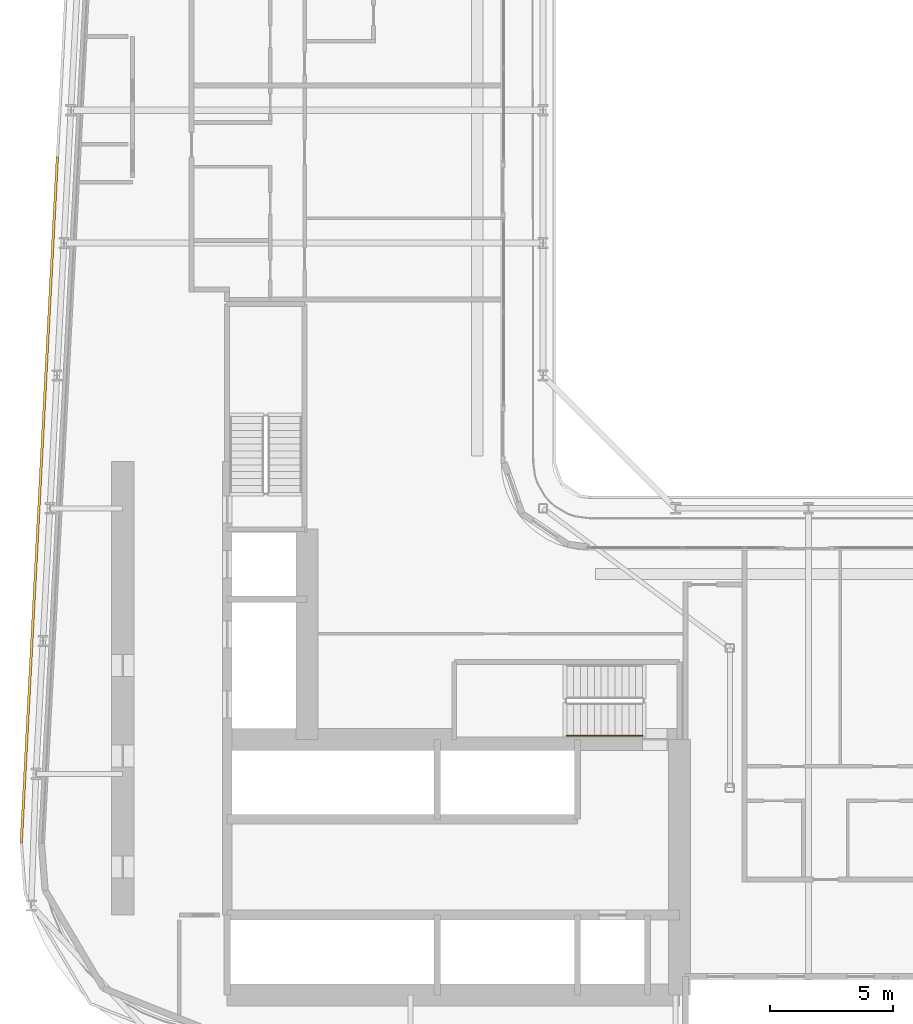
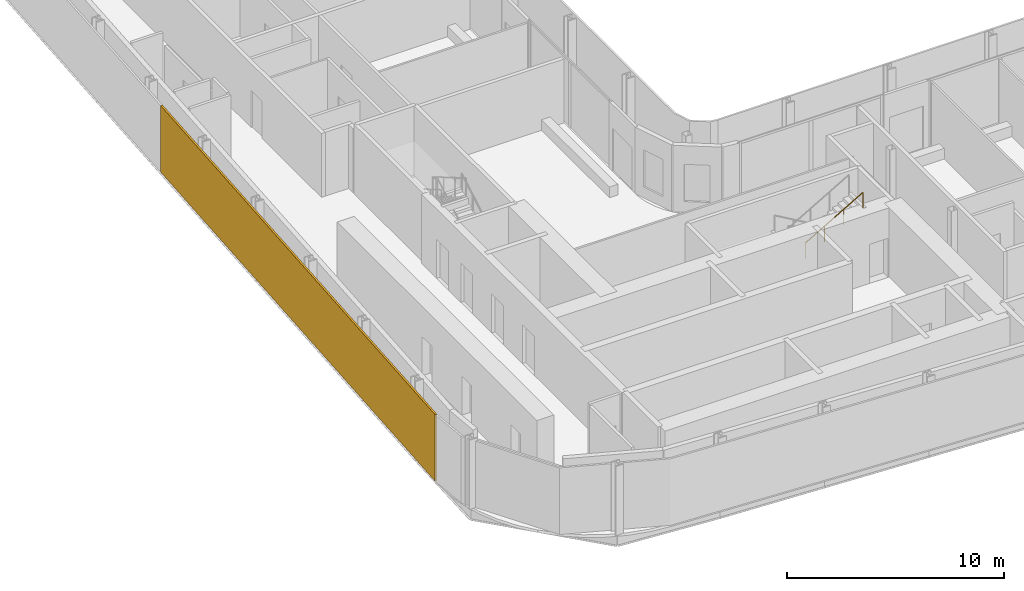
# One storey, part 21 of 27: 1 railing, 1 shading device.
"""IFC4 building model written with IfcOpenShell, lengths in metres."""

from ifc_helpers import new_model, si_unit, direction, frame, origin, origin_2d, place, context, subcontext, project, spatial, rectangle, circle, extrude, material, layer, layer_set, type_object, element, save


model = new_model("IFC4")

# Units and contexts
model_context = context("Model", 3, precision=1e-05, world=origin(), true_north=direction((0.0, 1.0)))
body_context = subcontext(model_context, "Body", "Model", "MODEL_VIEW")
ifc_project = project(units=[si_unit("LENGTHUNIT", "METRE"), si_unit("AREAUNIT", "SQUARE_METRE"), si_unit("VOLUMEUNIT", "CUBIC_METRE"), si_unit("PLANEANGLEUNIT", "RADIAN"), si_unit("MASSUNIT", "GRAM", prefix="KILO")], contexts=[model_context])

# Site, building, storey
site_placement = place(None, origin())
site = spatial("IfcSite", under=ifc_project, at=site_placement, CompositionType="ELEMENT")
building_placement = place(site_placement, origin())
building = spatial("IfcBuilding", under=site, at=building_placement, Name="Kheshtan School and Residences Tower", CompositionType="ELEMENT")
storey_placement = place(building_placement, frame((0.0, 0.0, 98.0)))
storey = spatial("IfcBuildingStorey", under=building, at=storey_placement, Name="L22", CompositionType="ELEMENT", Elevation=98.0)

# Shading device
ifc_material_1 = material(Name="Terracotta baguette, extruded ceramic", Category="masonry")
ifc_layer = layer(ifc_material_1, 0.10009765625)
ifc_layer_set = layer_set([ifc_layer], Name="Ledge screen, terracotta baguettes")
shading_device_type = type_object("IfcShadingDeviceType", Name="Ledge screen, terracotta baguettes", PredefinedType="USERDEFINED", material=ifc_layer_set)
shading_device_placement = place(storey_placement, frame((27.10400390625, 45.93896484375, 0.0), z_axis=(0.0, 0.0, 1.0), x_axis=(0.052562536748, 0.998617634398, 0.0)))
element("IfcShadingDevice", 1, at=shading_device_placement, inside=storey, type_object=shading_device_type, Name="Screen L22 4", ObjectType="BAGUETTE", PredefinedType="USERDEFINED", context=body_context, shape_type="SweptSolid", body=[
    extrude(rectangle(XDim=27.93408203125, YDim=0.10009765625, at=origin_2d()), origin(), (0.0, 0.0, 1.0), 3.75),
])

# Railing
ifc_material_2 = material(Name="Stainless steel handrail", Category="steel")
railing_type = type_object("IfcRailingType", Name="Stair handrail 900", PredefinedType="HANDRAIL", material=ifc_material_2)
railing_placement = place(storey_placement, frame((48.570068359375, 36.35009765625, 2.112548828125)))
element("IfcRailing", 2, at=railing_placement, inside=storey, type_object=railing_type, Name="L22 ST1 stair handrail 2", PredefinedType="HANDRAIL", context=body_context, shape_type="SweptSolid", body=[
    extrude(circle(Radius=0.02392578125, at=origin_2d()), frame((0.0, 0.0, 0.8759765625), z_axis=(0.864903211148, 0.0, 0.501938676878), x_axis=(0.0, 1.0, 0.0)), (0.0, 0.0, 1.0), 3.560791015625),
    extrude(circle(Radius=0.02099609375, at=origin_2d()), origin(), (0.0, 0.0, 1.0), 0.851806640625),
    extrude(circle(Radius=0.02099609375, at=origin_2d()), frame((1.026611328125, 0.0, 0.595703125)), (0.0, 0.0, 1.0), 0.851806640625),
    extrude(circle(Radius=0.02099609375, at=origin_2d()), frame((2.05322265625, 0.0, 1.191650390625)), (0.0, 0.0, 1.0), 0.851806640625),
    extrude(circle(Radius=0.02099609375, at=origin_2d()), frame((3.079833984375, 0.0, 1.787353515625)), (0.0, 0.0, 1.0), 0.851806640625),
])

save(model, "model.ifc")
